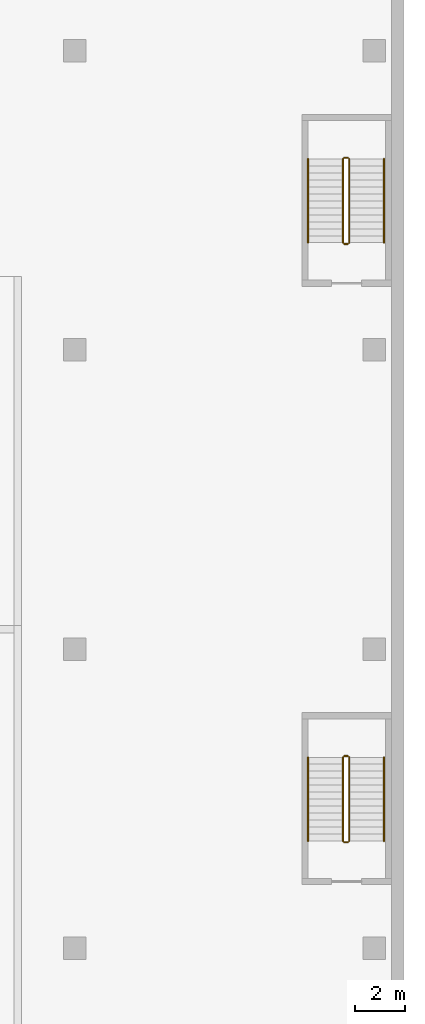
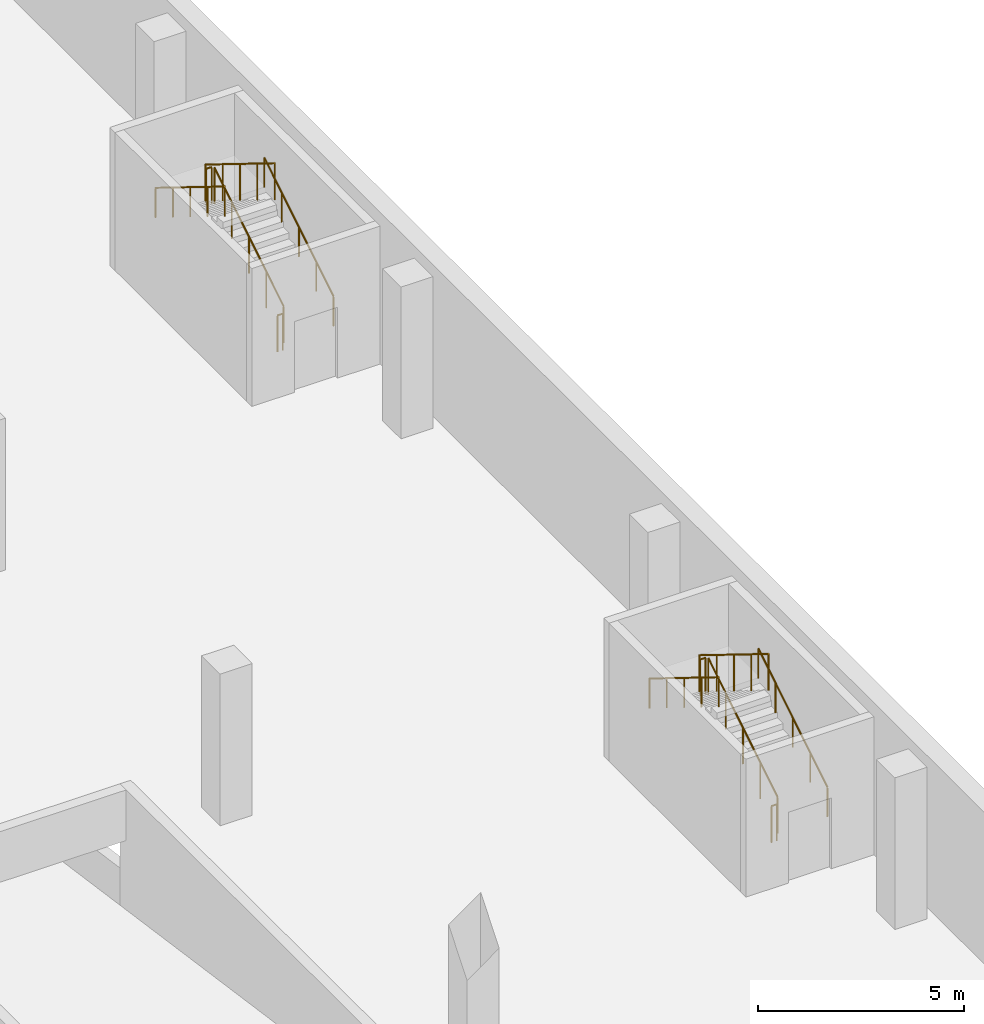
# One storey, part 11 of 11: 12 railings.
"""IFC4 building model written with IfcOpenShell, lengths in metres."""

from ifc_helpers import new_model, si_unit, direction, frame, origin, origin_2d, place, context, subcontext, project, spatial, circle, extrude, material, type_object, element, save


model = new_model("IFC4")

# Units and contexts
model_context = context("Model", 3, precision=1e-05, world=origin(), true_north=direction((0.0, 1.0)))
body_context = subcontext(model_context, "Body", "Model", "MODEL_VIEW")
ifc_project = project(units=[si_unit("LENGTHUNIT", "METRE"), si_unit("AREAUNIT", "SQUARE_METRE"), si_unit("VOLUMEUNIT", "CUBIC_METRE"), si_unit("PLANEANGLEUNIT", "RADIAN"), si_unit("MASSUNIT", "GRAM", prefix="KILO")], contexts=[model_context])

# Site, building, storey
site_placement = place(None, origin())
site = spatial("IfcSite", under=ifc_project, at=site_placement, CompositionType="ELEMENT")
building_placement = place(site_placement, origin())
building = spatial("IfcBuilding", under=site, at=building_placement, Name="Kilnfold Tower and Market Hall", CompositionType="ELEMENT")
storey_placement = place(building_placement, frame((0.0, 0.0, -4.5)))
storey = spatial("IfcBuildingStorey", under=building, at=storey_placement, Name="B1", CompositionType="ELEMENT", Elevation=-4.5)

# Railings
ifc_material_1 = material(Name="Stainless steel 316", Category="steel")
railing_type_1 = type_object("IfcRailingType", Name="CAR PARK STAIR GUARD 1100", PredefinedType="GUARDRAIL", material=ifc_material_1)
railing_1_placement = place(storey_placement, frame((53.64990234375, -14.35009765625, 0.173095703125)))
element("IfcRailing", 1, at=railing_1_placement, inside=storey, type_object=railing_type_1, Name="B1 CS3 stair guard 1", PredefinedType="GUARDRAIL", context=body_context, shape_type="SweptSolid", body=[
    extrude(circle(Radius=0.02392578125, at=origin_2d()), frame((0.0, 0.0, 1.076171875), z_axis=(0.0, 0.850623216509, 0.525775754039), x_axis=(-1.0, 0.0, 0.0)), (0.0, 0.0, 1.0), 3.9501953125),
    extrude(circle(Radius=0.02099609375, at=origin_2d()), origin(), (0.0, 0.0, 1.0), 1.052001953125),
    extrude(circle(Radius=0.02099609375, at=origin_2d()), frame((0.0, 0.840087890625, 0.519287109375)), (0.0, 0.0, 1.0), 1.052001953125),
    extrude(circle(Radius=0.02099609375, at=origin_2d()), frame((0.0, 1.68017578125, 1.03857421875)), (0.0, 0.0, 1.0), 1.052001953125),
    extrude(circle(Radius=0.02099609375, at=origin_2d()), frame((0.0, 2.52001953125, 1.5576171875)), (0.0, 0.0, 1.0), 1.052001953125),
    extrude(circle(Radius=0.02099609375, at=origin_2d()), frame((0.0, 3.360107421875, 2.076904296875)), (0.0, 0.0, 1.0), 1.052001953125),
])
railing_2_placement = place(storey_placement, frame((53.60009765625, -10.93994140625, 2.25)))
element("IfcRailing", 2, at=railing_2_placement, inside=storey, type_object=railing_type_1, Name="B1 CS3 stair guard 2", PredefinedType="GUARDRAIL", context=body_context, shape_type="SweptSolid", body=[
    extrude(circle(Radius=0.02392578125, at=origin_2d()), frame((0.0, 0.0, 1.076171875), z_axis=(-1.0, 0.0, 0.0), x_axis=(0.0, -1.0, 0.0)), (0.0, 0.0, 1.0), 0.150146484375),
    extrude(circle(Radius=0.02099609375, at=origin_2d()), origin(), (0.0, 0.0, 1.0), 1.052001953125),
    extrude(circle(Radius=0.02099609375, at=origin_2d()), frame((-0.150146484375, 0.0, 0.0)), (0.0, 0.0, 1.0), 1.052001953125),
])
railing_3_placement = place(storey_placement, frame((53.39990234375, -10.989990234375, 2.423095703125)))
element("IfcRailing", 3, at=railing_3_placement, inside=storey, type_object=railing_type_1, Name="B1 CS3 stair guard 3", PredefinedType="GUARDRAIL", context=body_context, shape_type="SweptSolid", body=[
    extrude(circle(Radius=0.02392578125, at=origin_2d()), frame((0.0, 0.0, 1.076171875), z_axis=(0.0, -0.850623216509, 0.525775754039), x_axis=(1.0, 0.0, 0.0)), (0.0, 0.0, 1.0), 3.9501953125),
    extrude(circle(Radius=0.02099609375, at=origin_2d()), origin(), (0.0, 0.0, 1.0), 1.052001953125),
    extrude(circle(Radius=0.02099609375, at=origin_2d()), frame((0.0, -0.840087890625, 0.519287109375)), (0.0, 0.0, 1.0), 1.052001953125),
    extrude(circle(Radius=0.02099609375, at=origin_2d()), frame((0.0, -1.68017578125, 1.03857421875)), (0.0, 0.0, 1.0), 1.052001953125),
    extrude(circle(Radius=0.02099609375, at=origin_2d()), frame((0.0, -2.52001953125, 1.5576171875)), (0.0, 0.0, 1.0), 1.052001953125),
    extrude(circle(Radius=0.02099609375, at=origin_2d()), frame((0.0, -3.360107421875, 2.076904296875)), (0.0, 0.0, 1.0), 1.052001953125),
])
railing_4_placement = place(storey_placement, frame((53.60009765625, -14.39990234375, 0.0)))
element("IfcRailing", 4, at=railing_4_placement, inside=storey, type_object=railing_type_1, Name="B1 CS3 stair guard 4", PredefinedType="GUARDRAIL", context=body_context, shape_type="SweptSolid", body=[
    extrude(circle(Radius=0.02392578125, at=origin_2d()), frame((0.0, 0.0, 1.076171875), z_axis=(-1.0, 0.0, 0.0), x_axis=(0.0, -1.0, 0.0)), (0.0, 0.0, 1.0), 0.150146484375),
    extrude(circle(Radius=0.02099609375, at=origin_2d()), origin(), (0.0, 0.0, 1.0), 1.052001953125),
    extrude(circle(Radius=0.02099609375, at=origin_2d()), frame((-0.150146484375, 0.0, 0.0)), (0.0, 0.0, 1.0), 1.052001953125),
])
railing_5_placement = place(storey_placement, frame((53.64990234375, 9.64990234375, 0.173095703125)))
element("IfcRailing", 5, at=railing_5_placement, inside=storey, type_object=railing_type_1, Name="B1 CS4 stair guard 1", PredefinedType="GUARDRAIL", context=body_context, shape_type="SweptSolid", body=[
    extrude(circle(Radius=0.02392578125, at=origin_2d()), frame((0.0, 0.0, 1.076171875), z_axis=(0.0, 0.850623216509, 0.525775754039), x_axis=(-1.0, 0.0, 0.0)), (0.0, 0.0, 1.0), 3.9501953125),
    extrude(circle(Radius=0.02099609375, at=origin_2d()), origin(), (0.0, 0.0, 1.0), 1.052001953125),
    extrude(circle(Radius=0.02099609375, at=origin_2d()), frame((0.0, 0.840087890625, 0.519287109375)), (0.0, 0.0, 1.0), 1.052001953125),
    extrude(circle(Radius=0.02099609375, at=origin_2d()), frame((0.0, 1.68017578125, 1.03857421875)), (0.0, 0.0, 1.0), 1.052001953125),
    extrude(circle(Radius=0.02099609375, at=origin_2d()), frame((0.0, 2.52001953125, 1.5576171875)), (0.0, 0.0, 1.0), 1.052001953125),
    extrude(circle(Radius=0.02099609375, at=origin_2d()), frame((0.0, 3.360107421875, 2.076904296875)), (0.0, 0.0, 1.0), 1.052001953125),
])
railing_6_placement = place(storey_placement, frame((53.60009765625, 13.06005859375, 2.25)))
element("IfcRailing", 6, at=railing_6_placement, inside=storey, type_object=railing_type_1, Name="B1 CS4 stair guard 2", PredefinedType="GUARDRAIL", context=body_context, shape_type="SweptSolid", body=[
    extrude(circle(Radius=0.02392578125, at=origin_2d()), frame((0.0, 0.0, 1.076171875), z_axis=(-1.0, 0.0, 0.0), x_axis=(0.0, -1.0, 0.0)), (0.0, 0.0, 1.0), 0.150146484375),
    extrude(circle(Radius=0.02099609375, at=origin_2d()), origin(), (0.0, 0.0, 1.0), 1.052001953125),
    extrude(circle(Radius=0.02099609375, at=origin_2d()), frame((-0.150146484375, 0.0, 0.0)), (0.0, 0.0, 1.0), 1.052001953125),
])
railing_7_placement = place(storey_placement, frame((53.39990234375, 13.010009765625, 2.423095703125)))
element("IfcRailing", 7, at=railing_7_placement, inside=storey, type_object=railing_type_1, Name="B1 CS4 stair guard 3", PredefinedType="GUARDRAIL", context=body_context, shape_type="SweptSolid", body=[
    extrude(circle(Radius=0.02392578125, at=origin_2d()), frame((0.0, 0.0, 1.076171875), z_axis=(0.0, -0.850623216509, 0.525775754039), x_axis=(1.0, 0.0, 0.0)), (0.0, 0.0, 1.0), 3.9501953125),
    extrude(circle(Radius=0.02099609375, at=origin_2d()), origin(), (0.0, 0.0, 1.0), 1.052001953125),
    extrude(circle(Radius=0.02099609375, at=origin_2d()), frame((0.0, -0.840087890625, 0.519287109375)), (0.0, 0.0, 1.0), 1.052001953125),
    extrude(circle(Radius=0.02099609375, at=origin_2d()), frame((0.0, -1.68017578125, 1.03857421875)), (0.0, 0.0, 1.0), 1.052001953125),
    extrude(circle(Radius=0.02099609375, at=origin_2d()), frame((0.0, -2.52001953125, 1.5576171875)), (0.0, 0.0, 1.0), 1.052001953125),
    extrude(circle(Radius=0.02099609375, at=origin_2d()), frame((0.0, -3.360107421875, 2.076904296875)), (0.0, 0.0, 1.0), 1.052001953125),
])
railing_8_placement = place(storey_placement, frame((53.60009765625, 9.60009765625, 0.0)))
element("IfcRailing", 8, at=railing_8_placement, inside=storey, type_object=railing_type_1, Name="B1 CS4 stair guard 4", PredefinedType="GUARDRAIL", context=body_context, shape_type="SweptSolid", body=[
    extrude(circle(Radius=0.02392578125, at=origin_2d()), frame((0.0, 0.0, 1.076171875), z_axis=(-1.0, 0.0, 0.0), x_axis=(0.0, -1.0, 0.0)), (0.0, 0.0, 1.0), 0.150146484375),
    extrude(circle(Radius=0.02099609375, at=origin_2d()), origin(), (0.0, 0.0, 1.0), 1.052001953125),
    extrude(circle(Radius=0.02099609375, at=origin_2d()), frame((-0.150146484375, 0.0, 0.0)), (0.0, 0.0, 1.0), 1.052001953125),
])
ifc_material_2 = material(Name="Stainless steel 316", Category="steel")
railing_type_2 = type_object("IfcRailingType", Name="CAR PARK STAIR HANDRAIL 900", PredefinedType="HANDRAIL", material=ifc_material_2)
railing_9_placement = place(storey_placement, frame((55.050048828125, -14.35009765625, 0.173095703125)))
element("IfcRailing", 9, at=railing_9_placement, inside=storey, type_object=railing_type_2, Name="B1 CS3 stair handrail 1", PredefinedType="HANDRAIL", context=body_context, shape_type="SweptSolid", body=[
    extrude(circle(Radius=0.02392578125, at=origin_2d()), frame((0.0, 0.0, 0.8759765625), z_axis=(0.0, 0.850623216509, 0.525775754039), x_axis=(-1.0, 0.0, 0.0)), (0.0, 0.0, 1.0), 3.9501953125),
    extrude(circle(Radius=0.02099609375, at=origin_2d()), origin(), (0.0, 0.0, 1.0), 0.851806640625),
    extrude(circle(Radius=0.02099609375, at=origin_2d()), frame((0.0, 0.840087890625, 0.519287109375)), (0.0, 0.0, 1.0), 0.851806640625),
    extrude(circle(Radius=0.02099609375, at=origin_2d()), frame((0.0, 1.68017578125, 1.03857421875)), (0.0, 0.0, 1.0), 0.851806640625),
    extrude(circle(Radius=0.02099609375, at=origin_2d()), frame((0.0, 2.52001953125, 1.5576171875)), (0.0, 0.0, 1.0), 0.851806640625),
    extrude(circle(Radius=0.02099609375, at=origin_2d()), frame((0.0, 3.360107421875, 2.076904296875)), (0.0, 0.0, 1.0), 0.851806640625),
])
railing_10_placement = place(storey_placement, frame((52.0, -10.989990234375, 2.423095703125)))
element("IfcRailing", 10, at=railing_10_placement, inside=storey, type_object=railing_type_2, Name="B1 CS3 stair handrail 2", PredefinedType="HANDRAIL", context=body_context, shape_type="SweptSolid", body=[
    extrude(circle(Radius=0.02392578125, at=origin_2d()), frame((0.0, 0.0, 0.8759765625), z_axis=(0.0, -0.850623216509, 0.525775754039), x_axis=(1.0, 0.0, 0.0)), (0.0, 0.0, 1.0), 3.9501953125),
    extrude(circle(Radius=0.02099609375, at=origin_2d()), origin(), (0.0, 0.0, 1.0), 0.851806640625),
    extrude(circle(Radius=0.02099609375, at=origin_2d()), frame((0.0, -0.840087890625, 0.519287109375)), (0.0, 0.0, 1.0), 0.851806640625),
    extrude(circle(Radius=0.02099609375, at=origin_2d()), frame((0.0, -1.68017578125, 1.03857421875)), (0.0, 0.0, 1.0), 0.851806640625),
    extrude(circle(Radius=0.02099609375, at=origin_2d()), frame((0.0, -2.52001953125, 1.5576171875)), (0.0, 0.0, 1.0), 0.851806640625),
    extrude(circle(Radius=0.02099609375, at=origin_2d()), frame((0.0, -3.360107421875, 2.076904296875)), (0.0, 0.0, 1.0), 0.851806640625),
])
railing_11_placement = place(storey_placement, frame((55.050048828125, 9.64990234375, 0.173095703125)))
element("IfcRailing", 11, at=railing_11_placement, inside=storey, type_object=railing_type_2, Name="B1 CS4 stair handrail 1", PredefinedType="HANDRAIL", context=body_context, shape_type="SweptSolid", body=[
    extrude(circle(Radius=0.02392578125, at=origin_2d()), frame((0.0, 0.0, 0.8759765625), z_axis=(0.0, 0.850623216509, 0.525775754039), x_axis=(-1.0, 0.0, 0.0)), (0.0, 0.0, 1.0), 3.9501953125),
    extrude(circle(Radius=0.02099609375, at=origin_2d()), origin(), (0.0, 0.0, 1.0), 0.851806640625),
    extrude(circle(Radius=0.02099609375, at=origin_2d()), frame((0.0, 0.840087890625, 0.519287109375)), (0.0, 0.0, 1.0), 0.851806640625),
    extrude(circle(Radius=0.02099609375, at=origin_2d()), frame((0.0, 1.68017578125, 1.03857421875)), (0.0, 0.0, 1.0), 0.851806640625),
    extrude(circle(Radius=0.02099609375, at=origin_2d()), frame((0.0, 2.52001953125, 1.5576171875)), (0.0, 0.0, 1.0), 0.851806640625),
    extrude(circle(Radius=0.02099609375, at=origin_2d()), frame((0.0, 3.360107421875, 2.076904296875)), (0.0, 0.0, 1.0), 0.851806640625),
])
railing_12_placement = place(storey_placement, frame((52.0, 13.010009765625, 2.423095703125)))
element("IfcRailing", 12, at=railing_12_placement, inside=storey, type_object=railing_type_2, Name="B1 CS4 stair handrail 2", PredefinedType="HANDRAIL", context=body_context, shape_type="SweptSolid", body=[
    extrude(circle(Radius=0.02392578125, at=origin_2d()), frame((0.0, 0.0, 0.8759765625), z_axis=(0.0, -0.850623216509, 0.525775754039), x_axis=(1.0, 0.0, 0.0)), (0.0, 0.0, 1.0), 3.9501953125),
    extrude(circle(Radius=0.02099609375, at=origin_2d()), origin(), (0.0, 0.0, 1.0), 0.851806640625),
    extrude(circle(Radius=0.02099609375, at=origin_2d()), frame((0.0, -0.840087890625, 0.519287109375)), (0.0, 0.0, 1.0), 0.851806640625),
    extrude(circle(Radius=0.02099609375, at=origin_2d()), frame((0.0, -1.68017578125, 1.03857421875)), (0.0, 0.0, 1.0), 0.851806640625),
    extrude(circle(Radius=0.02099609375, at=origin_2d()), frame((0.0, -2.52001953125, 1.5576171875)), (0.0, 0.0, 1.0), 0.851806640625),
    extrude(circle(Radius=0.02099609375, at=origin_2d()), frame((0.0, -3.360107421875, 2.076904296875)), (0.0, 0.0, 1.0), 0.851806640625),
])

save(model, "model.ifc")
